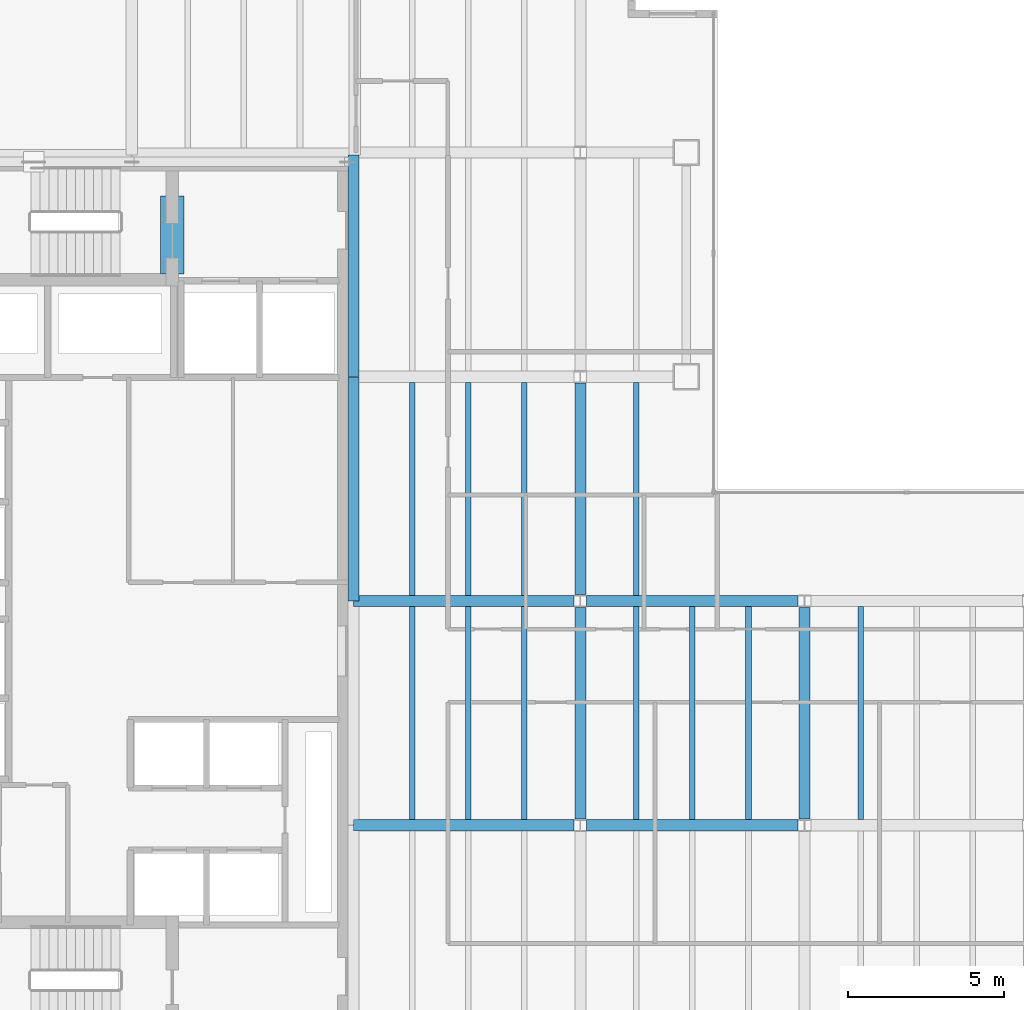
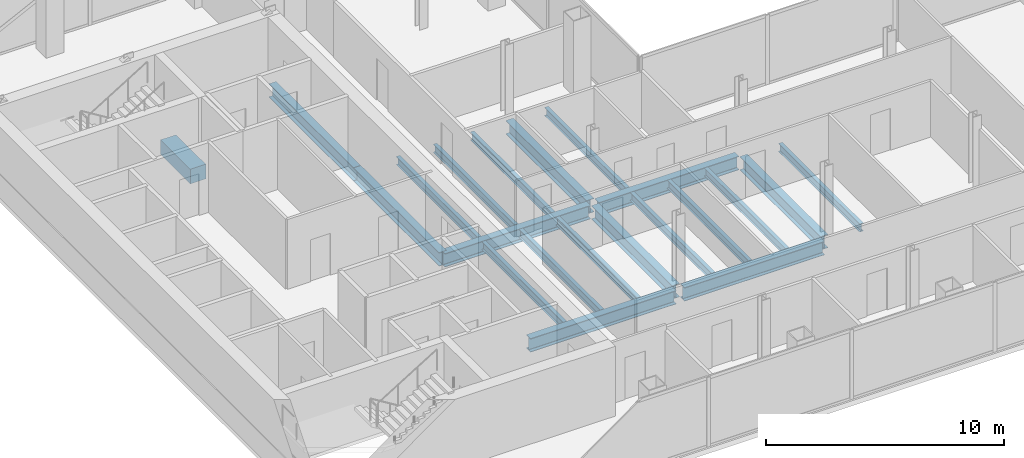
# One storey, part 6 of 23: 21 beams.
"""IFC4 building model written with IfcOpenShell, lengths in metres."""

import ifcopenshell
import ifcopenshell.guid

model = None  # the IFC model being written
_history = None  # IfcOwnerHistory: only IFC2X3 demands one
_inside = {}  # id of a spatial element -> (the spatial element, [elements in it])
_under = {}  # id of a project, library or spatial element -> (it, [spatial elements below it])
_declared = {}  # id of a project -> (the project, [libraries it declares])
_typed = {}  # id of a type object -> (the type object, [elements of that type])
_made_of = {}  # id of a material, layer set ... -> (it, [elements and type objects made of it])


def new_model(schema):
    """Start an empty IFC model of exactly this schema.

    Asked for "IFC4X3", IfcOpenShell would pick the latest addendum, in which some entities
    have other attributes; the version numbers below select the first issue.
    IFC2X3 requires an IfcOwnerHistory on every rooted entity: one is made here for all.
    """
    global model, _history
    if schema == "IFC4X3":
        model = ifcopenshell.file(schema_version=(4, 3, 0, 0))
    else:
        model = ifcopenshell.file(schema=schema)
    _inside.clear()
    _under.clear()
    _declared.clear()
    _typed.clear()
    _made_of.clear()
    _history = None
    if model.schema == "IFC2X3":
        org = make("IfcOrganization", Name="unknown")
        user = make(
            "IfcPersonAndOrganization",
            ThePerson=make("IfcPerson", FamilyName="unknown"),
            TheOrganization=org,
        )
        app = make(
            "IfcApplication",
            ApplicationDeveloper=org,
            Version="unknown",
            ApplicationFullName="unknown",
            ApplicationIdentifier="unknown",
        )
        _history = make(
            "IfcOwnerHistory",
            OwningUser=user,
            OwningApplication=app,
            ChangeAction="ADDED",
            CreationDate=0,
        )
    return model


def make(cls, **values):
    """One entity of the class cls with the attributes given. An attribute that is None is left unset."""
    return model.create_entity(
        cls, **{name: value for name, value in values.items() if value is not None}
    )


def rooted(cls, **values):
    """An entity with a GlobalId (a new one), such as an element, a storey or a relation."""
    return make(cls, GlobalId=ifcopenshell.guid.new(), OwnerHistory=_history, **values)


def si_unit(unit_type, name, prefix=None):
    """IfcSIUnit, for example si_unit("LENGTHUNIT", "METRE", prefix="MILLI")."""
    return make("IfcSIUnit", UnitType=unit_type, Prefix=prefix, Name=name)


def assignment(units):
    """IfcUnitAssignment: the units of a project."""
    return None if units is None else make("IfcUnitAssignment", Units=units)


def point(xyz):
    """IfcCartesianPoint."""
    return None if xyz is None else make("IfcCartesianPoint", Coordinates=xyz)


def direction(xyz):
    """IfcDirection."""
    return None if xyz is None else make("IfcDirection", DirectionRatios=xyz)


def frame(location, z_axis=None, x_axis=None):
    """IfcAxis2Placement3D, a coordinate frame: its origin and axes. An axis left out is left unset."""
    return make(
        "IfcAxis2Placement3D",
        Location=point(location),
        Axis=direction(z_axis),
        RefDirection=direction(x_axis),
    )


def frame_2d(location, x_axis=None):
    """IfcAxis2Placement2D, a coordinate frame in the plane: its origin and x axis."""
    return make(
        "IfcAxis2Placement2D", Location=point(location), RefDirection=direction(x_axis)
    )


def origin():
    """The frame at (0, 0, 0) with its axes left unset."""
    return frame((0.0, 0.0, 0.0))


def origin_2d():
    """The frame at (0, 0) in the plane with its x axis left unset."""
    return frame_2d((0.0, 0.0))


def place(relative_to, where):
    """IfcLocalPlacement: puts the frame where relative to a parent placement (None: the world)."""
    return make(
        "IfcLocalPlacement", PlacementRelTo=relative_to, RelativePlacement=where
    )


def context(
    kind, dimensions, precision=None, world=None, true_north=None, identifier=None
):
    """IfcGeometricRepresentationContext, for example the 3D "Model" context."""
    return make(
        "IfcGeometricRepresentationContext",
        ContextIdentifier=identifier,
        ContextType=kind,
        CoordinateSpaceDimension=dimensions,
        Precision=precision,
        WorldCoordinateSystem=world,
        TrueNorth=true_north,
    )


def subcontext(parent, identifier, kind, view, scale=None):
    """IfcGeometricRepresentationSubContext, for example "Body" below "Model"."""
    return make(
        "IfcGeometricRepresentationSubContext",
        ContextIdentifier=identifier,
        ContextType=kind,
        ParentContext=parent,
        TargetScale=scale,
        TargetView=view,
    )


def project(units=None, contexts=None):
    """IfcProject with its units and contexts."""
    return rooted(
        "IfcProject",
        Name="project",
        RepresentationContexts=contexts,
        UnitsInContext=assignment(units),
    )


def spatial(cls, under=None, at=None, **own):
    """A site, building, storey or space (cls), placed at a placement, below another one or the project."""
    s = rooted(cls, ObjectPlacement=at, **own)
    if under is not None:
        _under.setdefault(under.id(), (under, []))[1].append(s)
    return s


def profile(cls, at=None, kind="AREA", **sizes):
    """A parametric profile (cls). Its sizes go by their IFC names, for example OverallWidth=200.0."""
    return make(cls, ProfileType=kind, Position=at, **sizes)


def rectangle(**sizes):
    """IfcRectangleProfileDef."""
    return profile("IfcRectangleProfileDef", **sizes)


def i_section(**sizes):
    """IfcIShapeProfileDef."""
    return profile("IfcIShapeProfileDef", **sizes)


def extrude(swept, where, along, depth):
    """IfcExtrudedAreaSolid: the profile swept, set in the frame where, extruded along a direction by depth."""
    return make(
        "IfcExtrudedAreaSolid",
        SweptArea=swept,
        Position=where,
        ExtrudedDirection=direction(along),
        Depth=depth,
    )


def shape(context_of_items, identifier, shape_type, items):
    """IfcShapeRepresentation: the items that make up one representation, for example the "Body"."""
    return make(
        "IfcShapeRepresentation",
        ContextOfItems=context_of_items,
        RepresentationIdentifier=identifier,
        RepresentationType=shape_type,
        Items=items,
    )


def material(Name=None, Category=None):
    """IfcMaterial."""
    return make("IfcMaterial", Name=Name, Category=Category)


def material_profile(
    of_material, cross_section, Name=None, Category=None, Priority=None
):
    """IfcMaterialProfile: a cross section and its material."""
    return make(
        "IfcMaterialProfile",
        Name=Name,
        Material=of_material,
        Profile=cross_section,
        Priority=Priority,
        Category=Category,
    )


def profile_set(profiles, Name=None, composite=None):
    """IfcMaterialProfileSet."""
    return make(
        "IfcMaterialProfileSet",
        Name=Name,
        MaterialProfiles=profiles,
        CompositeProfile=composite,
    )


def made_of(thing, what):
    """Note that an element or type object is made of a material, layer set ...; save() writes the relation."""
    if what is not None:
        _made_of.setdefault(what.id(), (what, []))[1].append(thing)
    return thing


def type_object(cls, material=None, **own):
    """A type object (cls), such as IfcWallType, which elements share."""
    return made_of(rooted(cls, **own), material)


def element(
    cls,
    number,
    at=None,
    inside=None,
    cuts=None,
    type_object=None,
    material=None,
    context=None,
    identifier="Body",
    shape_type=None,
    held_by="IfcProductDefinitionShape",
    body=None,
    shapes=None,
    **own,
):
    """One element of the class cls, such as IfcWall. Its Tag is "e" and its number.

    at: its placement. inside: the storey or other place that contains it. cuts: it is an
    opening in that element (IfcRelVoidsElement). A single representation is given by context,
    identifier, shape_type and body (its items); several are given by shapes. held_by: the class
    of the entity that holds the representations. save() writes the other relations.
    """
    e = rooted(cls, Tag="e%d" % number, ObjectPlacement=at, **own)
    if body is not None:
        shapes = [shape(context, identifier, shape_type, body)]
    if shapes is not None:
        e.Representation = make(held_by, Representations=shapes)
    if inside is not None:
        _inside.setdefault(inside.id(), (inside, []))[1].append(e)
    if cuts is not None:
        rooted(
            "IfcRelVoidsElement", RelatingBuildingElement=cuts, RelatedOpeningElement=e
        )
    if type_object is not None:
        _typed.setdefault(type_object.id(), (type_object, []))[1].append(e)
    return made_of(e, material)


def aggregate(whole, parts):
    """IfcRelAggregates: a whole, such as a stair, and the parts it consists of."""
    return rooted("IfcRelAggregates", RelatingObject=whole, RelatedObjects=parts)


def save(model, path):
    """Write the relations noted so far, then the file.

    IfcRelAggregates (storeys below a building ...), IfcRelContainedInSpatialStructure (elements
    in a storey), IfcRelDefinesByType, IfcRelAssociatesMaterial and IfcRelDeclares: one each for
    every whole, place, type object, material and project.
    """
    for whole, parts in _under.values():
        aggregate(whole, parts)
    for where, things in _inside.values():
        rooted(
            "IfcRelContainedInSpatialStructure",
            RelatedElements=things,
            RelatingStructure=where,
        )
    for kind, things in _typed.values():
        rooted("IfcRelDefinesByType", RelatedObjects=things, RelatingType=kind)
    for what, things in _made_of.values():
        rooted("IfcRelAssociatesMaterial", RelatedObjects=things, RelatingMaterial=what)
    for by, libraries in _declared.values():
        rooted("IfcRelDeclares", RelatingContext=by, RelatedDefinitions=libraries)
    model.write(path)


model = new_model("IFC4")

# Units and contexts
model_context = context("Model", 3, precision=1e-05, world=origin(), true_north=direction((0.0, 1.0)))
body_context = subcontext(model_context, "Body", "Model", "MODEL_VIEW")
ifc_project = project(units=[si_unit("LENGTHUNIT", "METRE"), si_unit("AREAUNIT", "SQUARE_METRE"), si_unit("VOLUMEUNIT", "CUBIC_METRE"), si_unit("PLANEANGLEUNIT", "RADIAN"), si_unit("MASSUNIT", "GRAM", prefix="KILO")], contexts=[model_context])

# Site, building, storey
site_placement = place(None, origin())
site = spatial("IfcSite", under=ifc_project, at=site_placement, CompositionType="ELEMENT")
building_placement = place(site_placement, origin())
building = spatial("IfcBuilding", under=site, at=building_placement, Name="Cobrela Telecom Tower", CompositionType="ELEMENT")
storey_placement = place(building_placement, frame((0.0, 0.0, 159.949951171875)))
storey = spatial("IfcBuildingStorey", under=building, at=storey_placement, Name="L40", CompositionType="ELEMENT", Elevation=159.949951171875)

# Beams
ifc_material_1 = material(Name="Concrete C40/50", Category="concrete")
ifc_material_profile_1 = material_profile(ifc_material_1, rectangle(XDim=0.75, YDim=0.75, at=origin_2d()), Name="RC 750x750")
ifc_profile_set_1 = profile_set([ifc_material_profile_1], Name="Concrete C40/50")
beam_type_1 = type_object("IfcBeamType", Name="BM-COUP-RC", PredefinedType="LINTEL", material=ifc_profile_set_1)
beam_1_placement = place(storey_placement, frame((8.5, 32.10009765625, -0.619873046875), z_axis=(0.0, 1.0, 0.0), x_axis=(-1.0, 0.0, 0.0)))
element("IfcBeam", 1, at=beam_1_placement, inside=storey, type_object=beam_type_1, Name="L40 Core Coupling Lintel Beam", PredefinedType="LINTEL", context=body_context, shape_type="SweptSolid", body=[
    extrude(rectangle(XDim=0.75, YDim=0.75, at=origin_2d()), origin(), (0.0, 0.0, 1.0), 2.5),
])
ifc_material_2 = material(Name="Steel ASTM A992 Grade 50", Category="steel")
ifc_material_profile_2 = material_profile(ifc_material_2, i_section(OverallWidth=0.35595703125, OverallDepth=0.696044921875, WebThickness=0.015380859375, FlangeThickness=0.024658203125, FilletRadius=0.01806640625, at=origin_2d()), Name="W27X146")
ifc_profile_set_2 = profile_set([ifc_material_profile_2], Name="Steel ASTM A992 Grade 50")
beam_type_2 = type_object("IfcBeamType", Name="BM-GIRD-05", PredefinedType="USERDEFINED", material=ifc_profile_set_2)
beam_2_placement = place(storey_placement, frame((14.324951171875, 14.39990234375, -0.617919921875), z_axis=(1.0, 0.0, 0.0), x_axis=(0.0, 1.0, 0.0)))
element("IfcBeam", 2, at=beam_2_placement, inside=storey, type_object=beam_type_2, Name="L40 Primary Girder X13", ObjectType="GIRDER", PredefinedType="USERDEFINED", context=body_context, shape_type="SweptSolid", body=[
    extrude(i_section(OverallWidth=0.35595703125, OverallDepth=0.696044921875, WebThickness=0.015380859375, FlangeThickness=0.024658203125, FilletRadius=0.01806640625, at=origin_2d()), origin(), (0.0, 0.0, 1.0), 7.070556640625),
])
beam_3_placement = place(storey_placement, frame((21.804443359375, 14.39990234375, -0.617919921875), z_axis=(1.0, 0.0, 0.0), x_axis=(0.0, 1.0, 0.0)))
element("IfcBeam", 3, at=beam_3_placement, inside=storey, type_object=beam_type_2, Name="L40 Primary Girder X14", ObjectType="GIRDER", PredefinedType="USERDEFINED", context=body_context, shape_type="SweptSolid", body=[
    extrude(i_section(OverallWidth=0.35595703125, OverallDepth=0.696044921875, WebThickness=0.015380859375, FlangeThickness=0.024658203125, FilletRadius=0.01806640625, at=origin_2d()), origin(), (0.0, 0.0, 1.0), 6.791015625),
])
beam_4_placement = place(storey_placement, frame((14.324951171875, 21.60009765625, -0.617919921875), z_axis=(1.0, 0.0, 0.0), x_axis=(0.0, 1.0, 0.0)))
element("IfcBeam", 4, at=beam_4_placement, inside=storey, type_object=beam_type_2, Name="L40 Primary Girder X16", ObjectType="GIRDER", PredefinedType="USERDEFINED", context=body_context, shape_type="SweptSolid", body=[
    extrude(i_section(OverallWidth=0.35595703125, OverallDepth=0.696044921875, WebThickness=0.015380859375, FlangeThickness=0.024658203125, FilletRadius=0.01806640625, at=origin_2d()), origin(), (0.0, 0.0, 1.0), 7.070556640625),
])
beam_5_placement = place(storey_placement, frame((21.804443359375, 21.60009765625, -0.617919921875), z_axis=(1.0, 0.0, 0.0), x_axis=(0.0, 1.0, 0.0)))
element("IfcBeam", 5, at=beam_5_placement, inside=storey, type_object=beam_type_2, Name="L40 Primary Girder X17", ObjectType="GIRDER", PredefinedType="USERDEFINED", context=body_context, shape_type="SweptSolid", body=[
    extrude(i_section(OverallWidth=0.35595703125, OverallDepth=0.696044921875, WebThickness=0.015380859375, FlangeThickness=0.024658203125, FilletRadius=0.01806640625, at=origin_2d()), origin(), (0.0, 0.0, 1.0), 6.791015625),
])
beam_6_placement = place(storey_placement, frame((14.320068359375, 21.60498046875, -0.617919921875), z_axis=(0.0, 1.0, 0.0), x_axis=(-1.0, 0.0, 0.0)))
element("IfcBeam", 6, at=beam_6_placement, inside=storey, type_object=beam_type_2, Name="L40 Primary Girder Y32", ObjectType="GIRDER", PredefinedType="USERDEFINED", context=body_context, shape_type="SweptSolid", body=[
    extrude(i_section(OverallWidth=0.35595703125, OverallDepth=0.696044921875, WebThickness=0.015380859375, FlangeThickness=0.024658203125, FilletRadius=0.01806640625, at=origin_2d()), origin(), (0.0, 0.0, 1.0), 7.18994140625),
])
beam_7_placement = place(storey_placement, frame((14.320068359375, 28.804931640625, -0.617919921875), z_axis=(0.0, 1.0, 0.0), x_axis=(-1.0, 0.0, 0.0)))
element("IfcBeam", 7, at=beam_7_placement, inside=storey, type_object=beam_type_2, Name="L40 Primary Girder Y33", ObjectType="GIRDER", PredefinedType="USERDEFINED", context=body_context, shape_type="SweptSolid", body=[
    extrude(i_section(OverallWidth=0.35595703125, OverallDepth=0.696044921875, WebThickness=0.015380859375, FlangeThickness=0.024658203125, FilletRadius=0.01806640625, at=origin_2d()), origin(), (0.0, 0.0, 1.0), 7.110107421875),
])
for number, where, z_axis, x_axis, name in (
    (8, (21.60009765625, 14.6044921875, -0.617919921875), (0.0, 1.0, 0.0), (-1.0, 0.0, 0.0), "L40 Primary Girder Y37"),
    (9, (21.60009765625, 21.804443359375, -0.617919921875), (0.0, 1.0, 0.0), (-1.0, 0.0, 0.0), "L40 Primary Girder Y38"),
    (10, (28.800048828125, 14.6044921875, -0.617919921875), (0.0, 1.0, 0.0), (-1.0, 0.0, 0.0), "L40 Primary Girder Y44"),
):
    element("IfcBeam", number, at=place(storey_placement, frame(where, z_axis=z_axis, x_axis=x_axis)), inside=storey, type_object=beam_type_2, Name=name, ObjectType="GIRDER", PredefinedType="USERDEFINED", context=body_context, shape_type="SweptSolid", body=[
        extrude(i_section(OverallWidth=0.35595703125, OverallDepth=0.696044921875, WebThickness=0.015380859375, FlangeThickness=0.024658203125, FilletRadius=0.01806640625, at=origin_2d()), origin(), (0.0, 0.0, 1.0), 6.791015625),
    ])
ifc_material_profile_3 = material_profile(ifc_material_2, i_section(OverallWidth=0.179931640625, OverallDepth=0.4169921875, WebThickness=0.010986328125, FlangeThickness=0.01806640625, FilletRadius=0.011962890625, at=origin_2d()), Name="W16X57")
ifc_profile_set_3 = profile_set([ifc_material_profile_3], Name="Steel ASTM A992 Grade 50")
beam_type_3 = type_object("IfcBeamType", Name="BM-JOIST-04", PredefinedType="JOIST", material=ifc_profile_set_3)
for number, where, z_axis, x_axis, name in (
    (11, (16.199951171875, 14.5830078125, -0.478515625), (0.0, 1.0, 0.0), (-1.0, 0.0, 0.0), "L40 Secondary Composite Floor Beam J05"),
    (12, (16.199951171875, 21.782958984375, -0.478515625), (0.0, 1.0, 0.0), (-1.0, 0.0, 0.0), "L40 Secondary Composite Floor Beam J06"),
    (13, (18.0, 14.5830078125, -0.478515625), (0.0, 1.0, 0.0), (-1.0, 0.0, 0.0), "L40 Secondary Composite Floor Beam J10"),
    (14, (18.0, 21.782958984375, -0.478515625), (0.0, 1.0, 0.0), (-1.0, 0.0, 0.0), "L40 Secondary Composite Floor Beam J11"),
    (15, (19.800048828125, 14.5830078125, -0.478515625), (0.0, 1.0, 0.0), (-1.0, 0.0, 0.0), "L40 Secondary Composite Floor Beam J15"),
    (16, (19.800048828125, 21.782958984375, -0.478515625), (0.0, 1.0, 0.0), (-1.0, 0.0, 0.0), "L40 Secondary Composite Floor Beam J16"),
    (17, (23.39990234375, 14.5830078125, -0.478515625), (0.0, 1.0, 0.0), (-1.0, 0.0, 0.0), "L40 Secondary Composite Floor Beam J20"),
    (18, (23.39990234375, 21.782958984375, -0.478515625), (0.0, 1.0, 0.0), (-1.0, 0.0, 0.0), "L40 Secondary Composite Floor Beam J21"),
    (19, (25.199951171875, 14.5830078125, -0.478515625), (0.0, 1.0, 0.0), (-1.0, 0.0, 0.0), "L40 Secondary Composite Floor Beam J24"),
    (20, (27.0, 14.5830078125, -0.478515625), (0.0, 1.0, 0.0), (-1.0, 0.0, 0.0), "L40 Secondary Composite Floor Beam J26"),
    (21, (30.60009765625, 14.5830078125, -0.478515625), (0.0, 1.0, 0.0), (-1.0, 0.0, 0.0), "L40 Secondary Composite Floor Beam J28"),
):
    element("IfcBeam", number, at=place(storey_placement, frame(where, z_axis=z_axis, x_axis=x_axis)), inside=storey, type_object=beam_type_3, Name=name, PredefinedType="JOIST", context=body_context, shape_type="SweptSolid", body=[
        extrude(i_section(OverallWidth=0.179931640625, OverallDepth=0.4169921875, WebThickness=0.010986328125, FlangeThickness=0.01806640625, FilletRadius=0.011962890625, at=origin_2d()), origin(), (0.0, 0.0, 1.0), 6.833984375),
    ])

save(model, "model.ifc")
